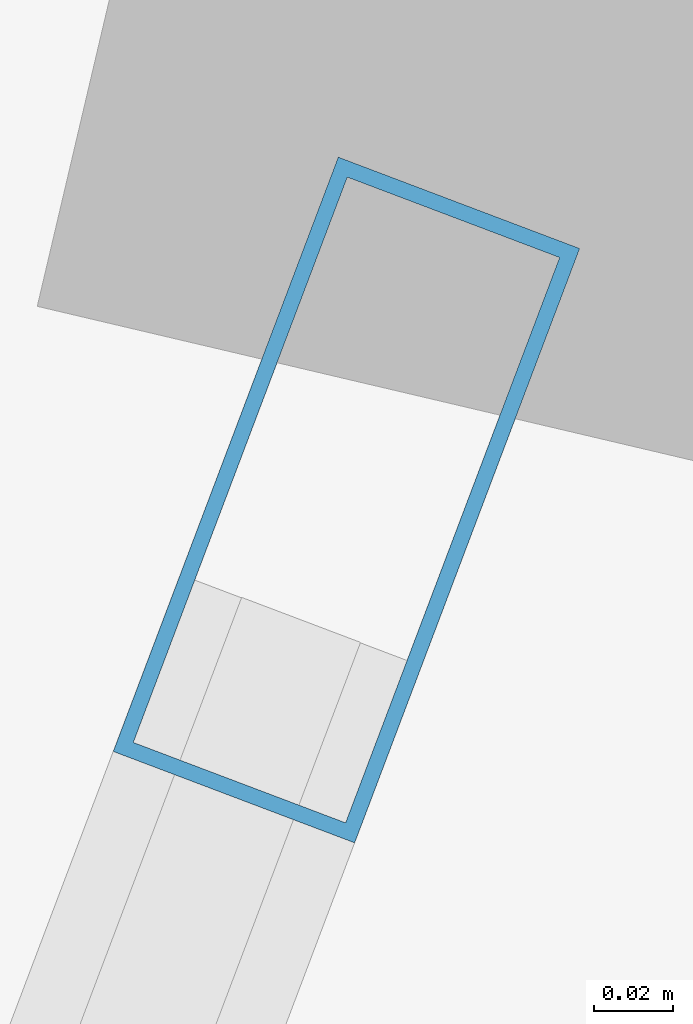
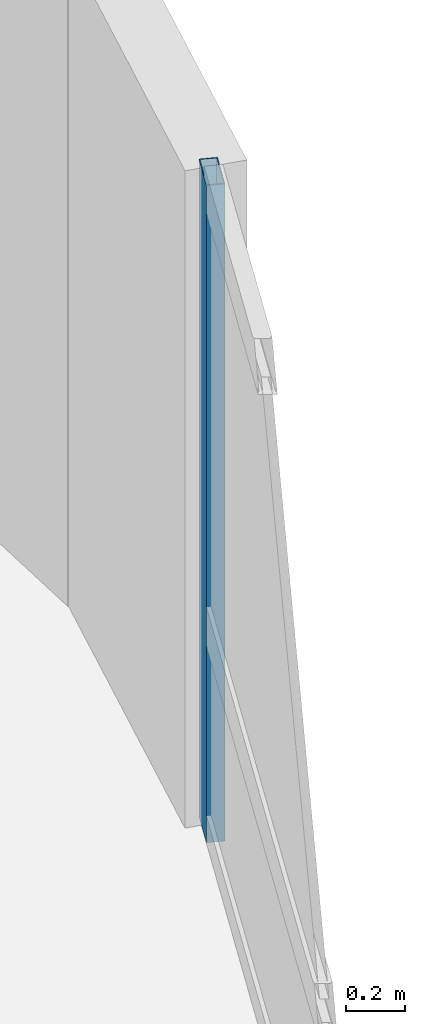
# One storey, part 15 of 24: 1 member, 1 element without a shape of its own.
"""IFC4 building model written with IfcOpenShell, lengths in metres."""

from ifc_helpers import new_model, si_unit, direction, frame, origin, origin_2d, place, context, subcontext, project, spatial, hollow_rectangle, extrude, material, layer, layer_set, material_profile, profile_set, type_object, element, aggregate, save


model = new_model("IFC4")

# Units and contexts
model_context = context("Model", 3, precision=1e-05, world=origin(), true_north=direction((0.0, 1.0)))
body_context = subcontext(model_context, "Body", "Model", "MODEL_VIEW")
ifc_project = project(units=[si_unit("LENGTHUNIT", "METRE"), si_unit("AREAUNIT", "SQUARE_METRE"), si_unit("VOLUMEUNIT", "CUBIC_METRE"), si_unit("PLANEANGLEUNIT", "RADIAN"), si_unit("MASSUNIT", "GRAM", prefix="KILO")], contexts=[model_context])

# Site, building, storey
site_placement = place(None, origin())
site = spatial("IfcSite", under=ifc_project, at=site_placement, CompositionType="ELEMENT")
building_placement = place(site_placement, origin())
building = spatial("IfcBuilding", under=site, at=building_placement, Name="Varnelok Gate Tower", CompositionType="ELEMENT")
storey_placement = place(building_placement, frame((0.0, 0.0, 98.39990234375)))
storey = spatial("IfcBuildingStorey", under=building, at=storey_placement, Name="L24", CompositionType="ELEMENT", Elevation=98.39990234375)

# Curtain wall, member
ifc_material = material(Name="Anodized Aluminum Alloy 6063-T6", Category="aluminium")
ifc_layer = layer(ifc_material, 0.179931640625)
ifc_layer_set = layer_set([ifc_layer], Name="Anodized Aluminum Alloy 6063-T6")
curtain_wall_type = type_object("IfcCurtainWallType", Name="CW3-HOTEL-VISION", PredefinedType="USERDEFINED", material=ifc_layer_set)
curtain_wall_placement = place(storey_placement, origin())
curtain_wall = element("IfcCurtainWall", 1, at=curtain_wall_placement, inside=storey, type_object=curtain_wall_type, Name="L24 East End Vision Curtain Wall", ObjectType="UNITISED CURTAIN WALL", PredefinedType="USERDEFINED")
ifc_material_profile = material_profile(ifc_material, hollow_rectangle(XDim=0.06494140625, YDim=0.159912109375, WallThickness=0.00390625, at=origin_2d()), Name="ALU160X65X4")
ifc_profile_set = profile_set([ifc_material_profile], Name="Anodized Aluminum Alloy 6063-T6")
member_type = type_object("IfcMemberType", Name="CW-MULL-160", PredefinedType="MULLION", material=ifc_profile_set)
member_placement = place(storey_placement, frame((80.443359375, 29.004638671875, 0.0), z_axis=(0.0, 0.0, 1.0), x_axis=(0.935221323688, -0.354063660545, 0.0)))
member = element("IfcMember", 2, at=member_placement, type_object=member_type, Name="CW3 mullion 1", PredefinedType="MULLION", context=body_context, shape_type="SweptSolid", body=[
    extrude(hollow_rectangle(XDim=0.06494140625, YDim=0.159912109375, WallThickness=0.00390625, at=origin_2d()), origin(), (0.0, 0.0, 1.0), 2.72998046875),
])
aggregate(curtain_wall, [member])

save(model, "model.ifc")
